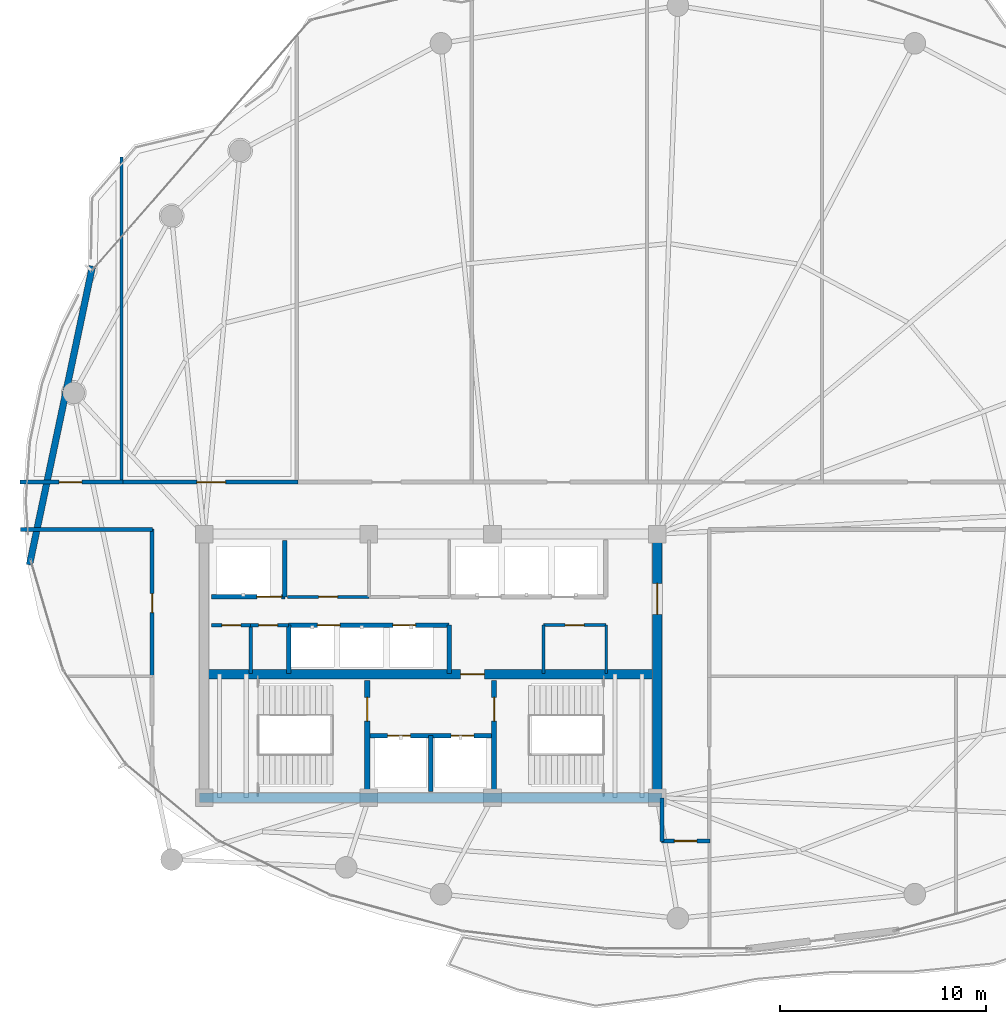
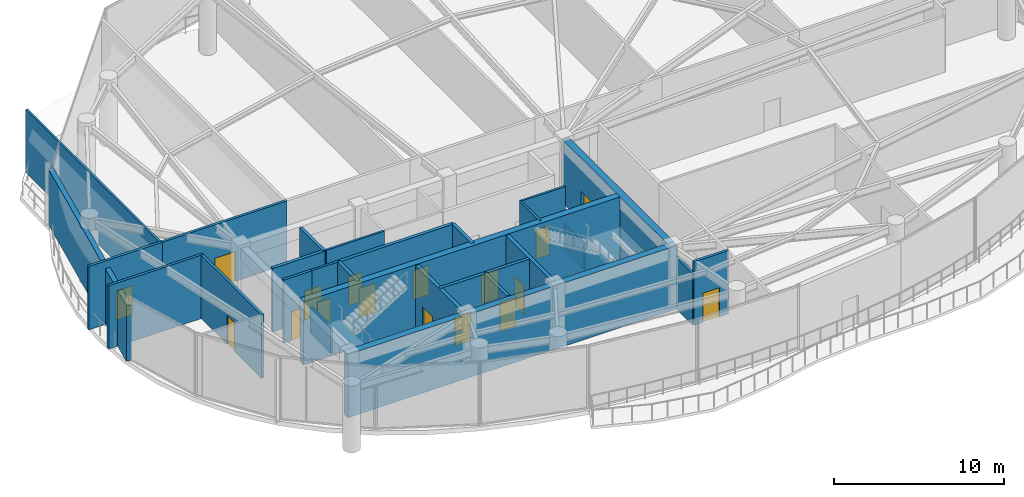
# One storey, part 23 of 28: 27 walls, 17 doors, 17 openings.
"""IFC4 building model written with IfcOpenShell, lengths in metres."""

import ifcopenshell
import ifcopenshell.guid

model = None  # the IFC model being written
_history = None  # IfcOwnerHistory: only IFC2X3 demands one
_inside = {}  # id of a spatial element -> (the spatial element, [elements in it])
_under = {}  # id of a project, library or spatial element -> (it, [spatial elements below it])
_declared = {}  # id of a project -> (the project, [libraries it declares])
_typed = {}  # id of a type object -> (the type object, [elements of that type])
_made_of = {}  # id of a material, layer set ... -> (it, [elements and type objects made of it])


def new_model(schema):
    """Start an empty IFC model of exactly this schema.

    Asked for "IFC4X3", IfcOpenShell would pick the latest addendum, in which some entities
    have other attributes; the version numbers below select the first issue.
    IFC2X3 requires an IfcOwnerHistory on every rooted entity: one is made here for all.
    """
    global model, _history
    if schema == "IFC4X3":
        model = ifcopenshell.file(schema_version=(4, 3, 0, 0))
    else:
        model = ifcopenshell.file(schema=schema)
    _inside.clear()
    _under.clear()
    _declared.clear()
    _typed.clear()
    _made_of.clear()
    _history = None
    if model.schema == "IFC2X3":
        org = make("IfcOrganization", Name="unknown")
        user = make(
            "IfcPersonAndOrganization",
            ThePerson=make("IfcPerson", FamilyName="unknown"),
            TheOrganization=org,
        )
        app = make(
            "IfcApplication",
            ApplicationDeveloper=org,
            Version="unknown",
            ApplicationFullName="unknown",
            ApplicationIdentifier="unknown",
        )
        _history = make(
            "IfcOwnerHistory",
            OwningUser=user,
            OwningApplication=app,
            ChangeAction="ADDED",
            CreationDate=0,
        )
    return model


def make(cls, **values):
    """One entity of the class cls with the attributes given. An attribute that is None is left unset."""
    return model.create_entity(
        cls, **{name: value for name, value in values.items() if value is not None}
    )


def rooted(cls, **values):
    """An entity with a GlobalId (a new one), such as an element, a storey or a relation."""
    return make(cls, GlobalId=ifcopenshell.guid.new(), OwnerHistory=_history, **values)


def si_unit(unit_type, name, prefix=None):
    """IfcSIUnit, for example si_unit("LENGTHUNIT", "METRE", prefix="MILLI")."""
    return make("IfcSIUnit", UnitType=unit_type, Prefix=prefix, Name=name)


def assignment(units):
    """IfcUnitAssignment: the units of a project."""
    return None if units is None else make("IfcUnitAssignment", Units=units)


def point(xyz):
    """IfcCartesianPoint."""
    return None if xyz is None else make("IfcCartesianPoint", Coordinates=xyz)


def direction(xyz):
    """IfcDirection."""
    return None if xyz is None else make("IfcDirection", DirectionRatios=xyz)


def frame(location, z_axis=None, x_axis=None):
    """IfcAxis2Placement3D, a coordinate frame: its origin and axes. An axis left out is left unset."""
    return make(
        "IfcAxis2Placement3D",
        Location=point(location),
        Axis=direction(z_axis),
        RefDirection=direction(x_axis),
    )


def frame_2d(location, x_axis=None):
    """IfcAxis2Placement2D, a coordinate frame in the plane: its origin and x axis."""
    return make(
        "IfcAxis2Placement2D", Location=point(location), RefDirection=direction(x_axis)
    )


def origin():
    """The frame at (0, 0, 0) with its axes left unset."""
    return frame((0.0, 0.0, 0.0))


def place(relative_to, where):
    """IfcLocalPlacement: puts the frame where relative to a parent placement (None: the world)."""
    return make(
        "IfcLocalPlacement", PlacementRelTo=relative_to, RelativePlacement=where
    )


def context(
    kind, dimensions, precision=None, world=None, true_north=None, identifier=None
):
    """IfcGeometricRepresentationContext, for example the 3D "Model" context."""
    return make(
        "IfcGeometricRepresentationContext",
        ContextIdentifier=identifier,
        ContextType=kind,
        CoordinateSpaceDimension=dimensions,
        Precision=precision,
        WorldCoordinateSystem=world,
        TrueNorth=true_north,
    )


def subcontext(parent, identifier, kind, view, scale=None):
    """IfcGeometricRepresentationSubContext, for example "Body" below "Model"."""
    return make(
        "IfcGeometricRepresentationSubContext",
        ContextIdentifier=identifier,
        ContextType=kind,
        ParentContext=parent,
        TargetScale=scale,
        TargetView=view,
    )


def project(units=None, contexts=None):
    """IfcProject with its units and contexts."""
    return rooted(
        "IfcProject",
        Name="project",
        RepresentationContexts=contexts,
        UnitsInContext=assignment(units),
    )


def spatial(cls, under=None, at=None, **own):
    """A site, building, storey or space (cls), placed at a placement, below another one or the project."""
    s = rooted(cls, ObjectPlacement=at, **own)
    if under is not None:
        _under.setdefault(under.id(), (under, []))[1].append(s)
    return s


def profile(cls, at=None, kind="AREA", **sizes):
    """A parametric profile (cls). Its sizes go by their IFC names, for example OverallWidth=200.0."""
    return make(cls, ProfileType=kind, Position=at, **sizes)


def rectangle(**sizes):
    """IfcRectangleProfileDef."""
    return profile("IfcRectangleProfileDef", **sizes)


def extrude(swept, where, along, depth):
    """IfcExtrudedAreaSolid: the profile swept, set in the frame where, extruded along a direction by depth."""
    return make(
        "IfcExtrudedAreaSolid",
        SweptArea=swept,
        Position=where,
        ExtrudedDirection=direction(along),
        Depth=depth,
    )


def shape(context_of_items, identifier, shape_type, items):
    """IfcShapeRepresentation: the items that make up one representation, for example the "Body"."""
    return make(
        "IfcShapeRepresentation",
        ContextOfItems=context_of_items,
        RepresentationIdentifier=identifier,
        RepresentationType=shape_type,
        Items=items,
    )


def material(Name=None, Category=None):
    """IfcMaterial."""
    return make("IfcMaterial", Name=Name, Category=Category)


def layer(
    of_material, thickness, ventilated=None, Name=None, Category=None, Priority=None
):
    """IfcMaterialLayer: one layer of a wall or slab, of a material (None: an air gap)."""
    return make(
        "IfcMaterialLayer",
        Material=of_material,
        LayerThickness=thickness,
        IsVentilated=ventilated,
        Name=Name,
        Category=Category,
        Priority=Priority,
    )


def layer_set(layers, Name=None):
    """IfcMaterialLayerSet."""
    return make("IfcMaterialLayerSet", MaterialLayers=layers, LayerSetName=Name)


def made_of(thing, what):
    """Note that an element or type object is made of a material, layer set ...; save() writes the relation."""
    if what is not None:
        _made_of.setdefault(what.id(), (what, []))[1].append(thing)
    return thing


def type_object(cls, material=None, **own):
    """A type object (cls), such as IfcWallType, which elements share."""
    return made_of(rooted(cls, **own), material)


def element(
    cls,
    number,
    at=None,
    inside=None,
    cuts=None,
    type_object=None,
    material=None,
    context=None,
    identifier="Body",
    shape_type=None,
    held_by="IfcProductDefinitionShape",
    body=None,
    shapes=None,
    **own,
):
    """One element of the class cls, such as IfcWall. Its Tag is "e" and its number.

    at: its placement. inside: the storey or other place that contains it. cuts: it is an
    opening in that element (IfcRelVoidsElement). A single representation is given by context,
    identifier, shape_type and body (its items); several are given by shapes. held_by: the class
    of the entity that holds the representations. save() writes the other relations.
    """
    e = rooted(cls, Tag="e%d" % number, ObjectPlacement=at, **own)
    if body is not None:
        shapes = [shape(context, identifier, shape_type, body)]
    if shapes is not None:
        e.Representation = make(held_by, Representations=shapes)
    if inside is not None:
        _inside.setdefault(inside.id(), (inside, []))[1].append(e)
    if cuts is not None:
        rooted(
            "IfcRelVoidsElement", RelatingBuildingElement=cuts, RelatedOpeningElement=e
        )
    if type_object is not None:
        _typed.setdefault(type_object.id(), (type_object, []))[1].append(e)
    return made_of(e, material)


def fill(opening, filler):
    """IfcRelFillsElement: the door or window that sits in an opening."""
    return rooted(
        "IfcRelFillsElement",
        RelatingOpeningElement=opening,
        RelatedBuildingElement=filler,
    )


def aggregate(whole, parts):
    """IfcRelAggregates: a whole, such as a stair, and the parts it consists of."""
    return rooted("IfcRelAggregates", RelatingObject=whole, RelatedObjects=parts)


def save(model, path):
    """Write the relations noted so far, then the file.

    IfcRelAggregates (storeys below a building ...), IfcRelContainedInSpatialStructure (elements
    in a storey), IfcRelDefinesByType, IfcRelAssociatesMaterial and IfcRelDeclares: one each for
    every whole, place, type object, material and project.
    """
    for whole, parts in _under.values():
        aggregate(whole, parts)
    for where, things in _inside.values():
        rooted(
            "IfcRelContainedInSpatialStructure",
            RelatedElements=things,
            RelatingStructure=where,
        )
    for kind, things in _typed.values():
        rooted("IfcRelDefinesByType", RelatedObjects=things, RelatingType=kind)
    for what, things in _made_of.values():
        rooted("IfcRelAssociatesMaterial", RelatedObjects=things, RelatingMaterial=what)
    for by, libraries in _declared.values():
        rooted("IfcRelDeclares", RelatingContext=by, RelatedDefinitions=libraries)
    model.write(path)


model = new_model("IFC4")

# Units and contexts
model_context = context("Model", 3, precision=1e-05, world=origin(), true_north=direction((0.0, 1.0)))
body_context = subcontext(model_context, "Body", "Model", "MODEL_VIEW")
ifc_project = project(units=[si_unit("LENGTHUNIT", "METRE"), si_unit("AREAUNIT", "SQUARE_METRE"), si_unit("VOLUMEUNIT", "CUBIC_METRE"), si_unit("PLANEANGLEUNIT", "RADIAN"), si_unit("MASSUNIT", "GRAM", prefix="KILO")], contexts=[model_context])

# Site, building, storey
site_placement = place(None, origin())
site = spatial("IfcSite", under=ifc_project, at=site_placement, CompositionType="ELEMENT")
building_placement = place(site_placement, origin())
building = spatial("IfcBuilding", under=site, at=building_placement, Name="Kazevale Care Tower and Concert Hall", CompositionType="ELEMENT")
storey_placement = place(building_placement, frame((0.0, 0.0, 190.800048828125)))
storey = spatial("IfcBuildingStorey", under=building, at=storey_placement, Name="L50", CompositionType="ELEMENT", Elevation=190.800048828125)

# Wall, opening, door
ifc_material_1 = material(Name="Acoustic Gypsum on Steel Stud", Category="steel")
ifc_layer_1 = layer(ifc_material_1, 0.139892578125)
ifc_layer_set_1 = layer_set([ifc_layer_1], Name="Acoustic Gypsum on Steel Stud")
wall_type_1 = type_object("IfcWallType", Name="Acoustic Care & Suite Partition 140", PredefinedType="PARTITIONING", material=ifc_layer_set_1)
wall_1_placement = place(storey_placement, frame((26.050048828125, 33.35009765625, 0.0), z_axis=(0.0, 0.0, 1.0), x_axis=(1.0, 0.0, 0.0)))
wall_1 = element("IfcWall", 1, at=wall_1_placement, inside=storey, type_object=wall_type_1, Name="wall:L50:c_rpl1_s", PredefinedType="PARTITIONING", context=body_context, shape_type="SweptSolid", body=[
    extrude(rectangle(XDim=3.949951171875, YDim=0.139892578125, at=frame_2d((1.97509765625, 0.0))), origin(), (0.0, 0.0, 1.0), 4.56005859375),
])
opening_1_placement = place(wall_1_placement, frame((1.514892578125, 0.0, 0.0)))
opening_1 = element("IfcOpeningElement", 2, at=opening_1_placement, cuts=wall_1, Name="Opening ID-900", PredefinedType="OPENING", context=body_context, shape_type="SweptSolid", body=[
    extrude(rectangle(XDim=0.919921875, YDim=2.10009765625, at=frame_2d((0.4599609375, 1.050048828125))), frame((0.0, 0.079833984375, 0.0), z_axis=(0.0, -1.0, 0.0), x_axis=(1.0, 0.0, 0.0)), (0.0, 0.0, 1.0), 0.159912109375),
])
ifc_material_2 = material(Name="Oak Timber Fire Leaf", Category="wood")
door_type_1 = type_object("IfcDoorType", Name="Bathroom & Service Door 920x2100", OperationType="NOTDEFINED", PredefinedType="DOOR", material=ifc_material_2)
door_1_placement = place(opening_1_placement, origin())
door_1 = element("IfcDoor", 3, at=door_1_placement, inside=storey, type_object=door_type_1, Name="door:L50:d_rpl1", OperationType="SINGLE_SWING_LEFT", OverallHeight=2.10009765625, OverallWidth=0.919921875, PredefinedType="DOOR", context=body_context, shape_type="SweptSolid", body=[
    extrude(rectangle(XDim=0.919921875, YDim=2.10009765625, at=frame_2d((0.4599609375, 1.050048828125))), frame((0.0, 0.02490234375, 0.0), z_axis=(0.0, -1.0, 0.0), x_axis=(1.0, 0.0, 0.0)), (0.0, 0.0, 1.0), 0.050048828125),
])
fill(opening_1, door_1)

# Walls
wall_2_placement = place(storey_placement, frame((38.47998046875, 29.6201171875, 0.0), z_axis=(0.0, 0.0, 1.0), x_axis=(0.0, 1.0, 0.0)))
element("IfcWall", 4, at=wall_2_placement, inside=storey, type_object=wall_type_1, Name="wall:L50:kb_ew", PredefinedType="PARTITIONING", context=body_context, shape_type="SweptSolid", body=[
    extrude(rectangle(XDim=2.35986328125, YDim=0.139892578125, at=frame_2d((1.179931640625, 0.0))), origin(), (0.0, 0.0, 1.0), 4.56005859375),
])
wall_3_placement = place(storey_placement, frame((41.52001953125, 29.6201171875, 0.0), z_axis=(0.0, 0.0, 1.0), x_axis=(0.0, 1.0, 0.0)))
element("IfcWall", 5, at=wall_3_placement, inside=storey, type_object=wall_type_1, Name="wall:L50:kb_ee", PredefinedType="PARTITIONING", context=body_context, shape_type="SweptSolid", body=[
    extrude(rectangle(XDim=2.35986328125, YDim=0.139892578125, at=frame_2d((1.179931640625, 0.0))), origin(), (0.0, 0.0, 1.0), 1.886962890625),
])

# Wall, opening, door
wall_4_placement = place(storey_placement, frame((38.47998046875, 31.97998046875, 0.0), z_axis=(0.0, 0.0, 1.0), x_axis=(1.0, 0.0, 0.0)))
wall_4 = element("IfcWall", 6, at=wall_4_placement, inside=storey, type_object=wall_type_1, Name="wall:L50:kb_en", PredefinedType="PARTITIONING", context=body_context, shape_type="SweptSolid", body=[
    extrude(rectangle(XDim=3.0400390625, YDim=0.139892578125, at=frame_2d((1.52001953125, 0.0))), origin(), (0.0, 0.0, 1.0), 4.56005859375),
])
opening_2_placement = place(wall_4_placement, frame((1.044921875, 0.0, 0.0)))
opening_2 = element("IfcOpeningElement", 7, at=opening_2_placement, cuts=wall_4, Name="Opening ID-900", PredefinedType="OPENING", context=body_context, shape_type="SweptSolid", body=[
    extrude(rectangle(XDim=0.919921875, YDim=2.10009765625, at=frame_2d((0.4599609375, 1.050048828125))), frame((0.0, 0.079833984375, 0.0), z_axis=(0.0, -1.0, 0.0), x_axis=(1.0, 0.0, 0.0)), (0.0, 0.0, 1.0), 0.159912109375),
])
door_2_placement = place(opening_2_placement, origin())
door_2 = element("IfcDoor", 8, at=door_2_placement, inside=storey, type_object=door_type_1, Name="door:L50:d_kbe", OperationType="SINGLE_SWING_LEFT", OverallHeight=2.10009765625, OverallWidth=0.919921875, PredefinedType="DOOR", context=body_context, shape_type="SweptSolid", body=[
    extrude(rectangle(XDim=0.919921875, YDim=2.10009765625, at=frame_2d((0.4599609375, 1.050048828125))), frame((0.0, 0.02490234375, 0.0), z_axis=(0.0, -1.0, 0.0), x_axis=(1.0, 0.0, 0.0)), (0.0, 0.0, 1.0), 0.050048828125),
])
fill(opening_2, door_2)

# Walls
wall_5_placement = place(storey_placement, frame((18.0, 54.696044921875, 0.0), z_axis=(0.0, 0.0, 1.0), x_axis=(0.0, -1.0, 0.0)))
element("IfcWall", 9, at=wall_5_placement, inside=storey, type_object=wall_type_1, Name="wall:L50:auto_017", PredefinedType="PARTITIONING", context=body_context, shape_type="SweptSolid", body=[
    extrude(rectangle(XDim=15.801025390625, YDim=0.139892578125, at=frame_2d((7.900390625, 0.0))), origin(), (0.0, 0.0, 1.0), 4.56005859375),
])
ifc_material_3 = material(Name="Concrete C50", Category="concrete")
ifc_layer_2 = layer(ifc_material_3, 0.449951171875)
ifc_layer_set_2 = layer_set([ifc_layer_2], Name="Concrete C50")
wall_type_2 = type_object("IfcWallType", Name="Core Shear Wall 450 C50", PredefinedType="SHEAR", material=ifc_layer_set_2)
wall_6_placement = place(storey_placement, frame((21.77490234375, 23.60009765625, 0.0), z_axis=(0.0, 0.0, 1.0), x_axis=(1.0, 0.0, 0.0)))
element("IfcWall", 10, at=wall_6_placement, inside=storey, type_object=wall_type_2, Name="wall:L50:core:S", PredefinedType="SHEAR", context=body_context, shape_type="SweptSolid", body=[
    extrude(rectangle(XDim=22.4501953125, YDim=0.449951171875, at=frame_2d((11.22509765625, 0.0))), origin(), (0.0, 0.0, 1.0), 4.56005859375),
])

# Wall, opening, door
wall_7_placement = place(storey_placement, frame((44.0, 23.824951171875, 0.0), z_axis=(0.0, 0.0, 1.0), x_axis=(0.0, 1.0, 0.0)))
wall_7 = element("IfcWall", 11, at=wall_7_placement, inside=storey, type_object=wall_type_2, Name="wall:L50:core:E", PredefinedType="SHEAR", context=body_context, shape_type="SweptSolid", body=[
    extrude(rectangle(XDim=12.35009765625, YDim=0.449951171875, at=frame_2d((6.175048828125, 0.0))), origin(), (0.0, 0.0, 1.0), 4.56005859375),
])
opening_3_placement = place(wall_7_placement, frame((8.675048828125, 0.0, 0.0)))
opening_3 = element("IfcOpeningElement", 12, at=opening_3_placement, cuts=wall_7, Name="Opening FD-60D", PredefinedType="OPENING", context=body_context, shape_type="SweptSolid", body=[
    extrude(rectangle(XDim=1.5, YDim=2.14990234375, at=frame_2d((0.75, 1.074951171875))), frame((0.0, 0.23486328125, 0.0), z_axis=(0.0, -1.0, 0.0), x_axis=(1.0, 0.0, 0.0)), (0.0, 0.0, 1.0), 0.469970703125),
])
door_type_2 = type_object("IfcDoorType", Name="Double Lobby & Auditorium Fire Door 1500x2150", OperationType="NOTDEFINED", PredefinedType="DOOR", material=ifc_material_2)
door_3_placement = place(opening_3_placement, origin())
door_3 = element("IfcDoor", 13, at=door_3_placement, inside=storey, type_object=door_type_2, Name="door:L50:core_east_out", OperationType="DOUBLE_DOOR_SINGLE_SWING", OverallHeight=2.14990234375, OverallWidth=1.5, PredefinedType="DOOR", context=body_context, shape_type="SweptSolid", body=[
    extrude(rectangle(XDim=1.5, YDim=2.14990234375, at=frame_2d((0.75, 1.074951171875))), frame((0.0, 0.02490234375, 0.0), z_axis=(0.0, -1.0, 0.0), x_axis=(1.0, 0.0, 0.0)), (0.0, 0.0, 1.0), 0.050048828125),
])
fill(opening_3, door_3)

wall_8_placement = place(storey_placement, frame((22.22509765625, 29.60009765625, 0.0), z_axis=(0.0, 0.0, 1.0), x_axis=(1.0, 0.0, 0.0)))
wall_8 = element("IfcWall", 14, at=wall_8_placement, inside=storey, type_object=wall_type_2, Name="wall:L50:core:M", PredefinedType="SHEAR", context=body_context, shape_type="SweptSolid", body=[
    extrude(rectangle(XDim=21.5498046875, YDim=0.449951171875, at=frame_2d((10.77490234375, 0.0))), origin(), (0.0, 0.0, 1.0), 4.56005859375),
])
opening_4_placement = place(wall_8_placement, frame((12.22509765625, 0.0, 0.0)))
opening_4 = element("IfcOpeningElement", 15, at=opening_4_placement, cuts=wall_8, Name="Opening FD-90", PredefinedType="OPENING", context=body_context, shape_type="SweptSolid", body=[
    extrude(rectangle(XDim=1.14990234375, YDim=2.10009765625, at=frame_2d((0.574951171875, 1.050048828125))), frame((0.0, 0.23486328125, 0.0), z_axis=(0.0, -1.0, 0.0), x_axis=(1.0, 0.0, 0.0)), (0.0, 0.0, 1.0), 0.469970703125),
])
ifc_material_4 = material(Name="Steel ASTM A572 Gr 50", Category="steel")
door_type_3 = type_object("IfcDoorType", Name="Pressurized Stair & Lobby Fire Door 1150x2100", OperationType="NOTDEFINED", PredefinedType="DOOR", material=ifc_material_4)
door_4_placement = place(opening_4_placement, origin())
door_4 = element("IfcDoor", 16, at=door_4_placement, inside=storey, type_object=door_type_3, Name="door:L50:ff_to_pax", OperationType="SINGLE_SWING_LEFT", OverallHeight=2.10009765625, OverallWidth=1.14990234375, PredefinedType="DOOR", context=body_context, shape_type="SweptSolid", body=[
    extrude(rectangle(XDim=1.14990234375, YDim=2.10009765625, at=frame_2d((0.574951171875, 1.050048828125))), frame((0.0, 0.02490234375, 0.0), z_axis=(0.0, -1.0, 0.0), x_axis=(1.0, 0.0, 0.0)), (0.0, 0.0, 1.0), 0.050048828125),
])
fill(opening_4, door_4)

# Wall, openings, doors
ifc_material_5 = material(Name="Concrete C40", Category="concrete")
ifc_layer_3 = layer(ifc_material_5, 0.219970703125)
ifc_layer_set_3 = layer_set([ifc_layer_3], Name="Concrete C40")
wall_type_3 = type_object("IfcWallType", Name="Elevator Hoistway Shaft Wall 220", PredefinedType="SOLIDWALL", material=ifc_layer_set_3)
wall_9_placement = place(storey_placement, frame((29.919921875, 26.6201171875, 0.0), z_axis=(0.0, 0.0, 1.0), x_axis=(1.0, 0.0, 0.0)))
wall_9 = element("IfcWall", 17, at=wall_9_placement, inside=storey, type_object=wall_type_3, Name="wall:L50:c_ffl_n", PredefinedType="SOLIDWALL", context=body_context, shape_type="SweptSolid", body=[
    extrude(rectangle(XDim=6.16015625, YDim=0.219970703125, at=frame_2d((3.080078125, 0.0))), origin(), (0.0, 0.0, 1.0), 4.56005859375),
])
opening_5_placement = place(wall_9_placement, frame((0.989990234375, 0.0, 0.0)))
opening_5 = element("IfcOpeningElement", 18, at=opening_5_placement, cuts=wall_9, Name="Opening LD-FF", PredefinedType="OPENING", context=body_context, shape_type="SweptSolid", body=[
    extrude(rectangle(XDim=1.10009765625, YDim=2.10009765625, at=frame_2d((0.550048828125, 1.050048828125))), frame((0.0, 0.119873046875, 0.0), z_axis=(0.0, -1.0, 0.0), x_axis=(1.0, 0.0, 0.0)), (0.0, 0.0, 1.0), 0.239990234375),
])
opening_6_placement = place(wall_9_placement, frame((4.070068359375, 0.0, 0.0)))
opening_6 = element("IfcOpeningElement", 19, at=opening_6_placement, cuts=wall_9, Name="Opening LD-FF", PredefinedType="OPENING", context=body_context, shape_type="SweptSolid", body=[
    extrude(rectangle(XDim=1.10009765625, YDim=2.10009765625, at=frame_2d((0.550048828125, 1.050048828125))), frame((0.0, 0.119873046875, 0.0), z_axis=(0.0, -1.0, 0.0), x_axis=(1.0, 0.0, 0.0)), (0.0, 0.0, 1.0), 0.239990234375),
])
ifc_material_6 = material(Name="Stainless Steel 316", Category="steel")
door_type_4 = type_object("IfcDoorType", Name="Emergency Lift Sliding Landing Door 1100x2100", OperationType="NOTDEFINED", PredefinedType="DOOR", material=ifc_material_6)
door_5_placement = place(opening_5_placement, origin())
door_5 = element("IfcDoor", 20, at=door_5_placement, inside=storey, type_object=door_type_4, Name="door:L50:ld_ffl1", OperationType="SLIDING_TO_LEFT", OverallHeight=2.10009765625, OverallWidth=1.10009765625, PredefinedType="DOOR", context=body_context, shape_type="SweptSolid", body=[
    extrude(rectangle(XDim=1.10009765625, YDim=2.10009765625, at=frame_2d((0.550048828125, 1.050048828125))), frame((0.0, 0.02490234375, 0.0), z_axis=(0.0, -1.0, 0.0), x_axis=(1.0, 0.0, 0.0)), (0.0, 0.0, 1.0), 0.050048828125),
])
fill(opening_5, door_5)
door_6_placement = place(opening_6_placement, origin())
door_6 = element("IfcDoor", 21, at=door_6_placement, inside=storey, type_object=door_type_4, Name="door:L50:ld_ffl2", OperationType="SLIDING_TO_RIGHT", OverallHeight=2.10009765625, OverallWidth=1.10009765625, PredefinedType="DOOR", context=body_context, shape_type="SweptSolid", body=[
    extrude(rectangle(XDim=1.10009765625, YDim=2.10009765625, at=frame_2d((0.550048828125, 1.050048828125))), frame((0.0, 0.02490234375, 0.0), z_axis=(0.0, -1.0, 0.0), x_axis=(1.0, 0.0, 0.0)), (0.0, 0.0, 1.0), 0.050048828125),
])
fill(opening_6, door_6)

# Walls
wall_10_placement = place(storey_placement, frame((33.0, 23.89990234375, 0.0), z_axis=(0.0, 0.0, 1.0), x_axis=(0.0, 1.0, 0.0)))
element("IfcWall", 22, at=wall_10_placement, inside=storey, type_object=wall_type_3, Name="wall:L50:c_ffl_m", PredefinedType="SOLIDWALL", context=body_context, shape_type="SweptSolid", body=[
    extrude(rectangle(XDim=2.72021484375, YDim=0.219970703125, at=frame_2d((1.360107421875, 0.0))), origin(), (0.0, 0.0, 1.0), 4.56005859375),
])
wall_11_placement = place(storey_placement, frame((25.919921875, 33.35009765625, 0.0), z_axis=(0.0, 0.0, 1.0), x_axis=(0.0, 1.0, 0.0)))
element("IfcWall", 23, at=wall_11_placement, inside=storey, type_object=wall_type_3, Name="wall:L50:c_svl_e", PredefinedType="SOLIDWALL", context=body_context, shape_type="SweptSolid", body=[
    extrude(rectangle(XDim=2.72998046875, YDim=0.219970703125, at=frame_2d((1.364990234375, 0.0))), origin(), (0.0, 0.0, 1.0), 4.56005859375),
])

# Wall, opening, door
wall_12_placement = place(storey_placement, frame((22.35009765625, 33.35009765625, 0.0), z_axis=(0.0, 0.0, 1.0), x_axis=(1.0, 0.0, 0.0)))
wall_12 = element("IfcWall", 24, at=wall_12_placement, inside=storey, type_object=wall_type_3, Name="wall:L50:c_svl_s", PredefinedType="SOLIDWALL", context=body_context, shape_type="SweptSolid", body=[
    extrude(rectangle(XDim=3.56982421875, YDim=0.219970703125, at=frame_2d((1.784912109375, 0.0))), origin(), (0.0, 0.0, 1.0), 4.56005859375),
])
opening_7_placement = place(wall_12_placement, frame((2.212890625, 0.0, 0.0)))
opening_7 = element("IfcOpeningElement", 25, at=opening_7_placement, cuts=wall_12, Name="Opening LD-SV", PredefinedType="OPENING", context=body_context, shape_type="SweptSolid", body=[
    extrude(rectangle(XDim=1.199951171875, YDim=2.10009765625, at=frame_2d((0.60009765625, 1.050048828125))), frame((0.0, 0.119873046875, 0.0), z_axis=(0.0, -1.0, 0.0), x_axis=(1.0, 0.0, 0.0)), (0.0, 0.0, 1.0), 0.239990234375),
])
door_type_5 = type_object("IfcDoorType", Name="Service Lift Sliding Landing Door 1200x2100", OperationType="NOTDEFINED", PredefinedType="DOOR", material=ifc_material_6)
door_7_placement = place(opening_7_placement, origin())
door_7 = element("IfcDoor", 26, at=door_7_placement, inside=storey, type_object=door_type_5, Name="door:L50:ld_svl1", OperationType="SLIDING_TO_LEFT", OverallHeight=2.10009765625, OverallWidth=1.199951171875, PredefinedType="DOOR", context=body_context, shape_type="SweptSolid", body=[
    extrude(rectangle(XDim=1.199951171875, YDim=2.10009765625, at=frame_2d((0.60009765625, 1.050048828125))), frame((0.0, 0.02490234375, 0.0), z_axis=(0.0, -1.0, 0.0), x_axis=(1.0, 0.0, 0.0)), (0.0, 0.0, 1.0), 0.050048828125),
])
fill(opening_7, door_7)

# Wall
wall_13_placement = place(storey_placement, frame((26.10009765625, 29.6201171875, 0.0), z_axis=(0.0, 0.0, 1.0), x_axis=(0.0, 1.0, 0.0)))
element("IfcWall", 27, at=wall_13_placement, inside=storey, type_object=wall_type_3, Name="wall:L50:c_ph_w", PredefinedType="SOLIDWALL", context=body_context, shape_type="SweptSolid", body=[
    extrude(rectangle(XDim=2.35986328125, YDim=0.219970703125, at=frame_2d((1.179931640625, 0.0))), origin(), (0.0, 0.0, 1.0), 4.56005859375),
])

# Wall, openings, doors
wall_14_placement = place(storey_placement, frame((26.10009765625, 31.97998046875, 0.0), z_axis=(0.0, 0.0, 1.0), x_axis=(1.0, 0.0, 0.0)))
wall_14 = element("IfcWall", 28, at=wall_14_placement, inside=storey, type_object=wall_type_3, Name="wall:L50:c_ph_n", PredefinedType="SOLIDWALL", context=body_context, shape_type="SweptSolid", body=[
    extrude(rectangle(XDim=7.7998046875, YDim=0.219970703125, at=frame_2d((3.89990234375, 0.0))), origin(), (0.0, 0.0, 1.0), 4.56005859375),
])
opening_8_placement = place(wall_14_placement, frame((1.39990234375, 0.0, 0.0)))
opening_8 = element("IfcOpeningElement", 29, at=opening_8_placement, cuts=wall_14, Name="Opening LD-PAX", PredefinedType="OPENING", context=body_context, shape_type="SweptSolid", body=[
    extrude(rectangle(XDim=1.10009765625, YDim=2.10009765625, at=frame_2d((0.550048828125, 1.050048828125))), frame((0.0, 0.119873046875, 0.0), z_axis=(0.0, -1.0, 0.0), x_axis=(1.0, 0.0, 0.0)), (0.0, 0.0, 1.0), 0.239990234375),
])
opening_9_placement = place(wall_14_placement, frame((5.06591796875, 0.0, 0.0)))
opening_9 = element("IfcOpeningElement", 30, at=opening_9_placement, cuts=wall_14, Name="Opening LD-PAX", PredefinedType="OPENING", context=body_context, shape_type="SweptSolid", body=[
    extrude(rectangle(XDim=1.10009765625, YDim=2.10009765625, at=frame_2d((0.550048828125, 1.050048828125))), frame((0.0, 0.119873046875, 0.0), z_axis=(0.0, -1.0, 0.0), x_axis=(1.0, 0.0, 0.0)), (0.0, 0.0, 1.0), 0.239990234375),
])
door_type_6 = type_object("IfcDoorType", Name="Passenger Lift Sliding Landing Door 1100x2100", OperationType="NOTDEFINED", PredefinedType="DOOR", material=ifc_material_6)
door_8_placement = place(opening_8_placement, origin())
door_8 = element("IfcDoor", 31, at=door_8_placement, inside=storey, type_object=door_type_6, Name="door:L50:ld_ph1", OperationType="SLIDING_TO_LEFT", OverallHeight=2.10009765625, OverallWidth=1.10009765625, PredefinedType="DOOR", context=body_context, shape_type="SweptSolid", body=[
    extrude(rectangle(XDim=1.10009765625, YDim=2.10009765625, at=frame_2d((0.550048828125, 1.050048828125))), frame((0.0, 0.02490234375, 0.0), z_axis=(0.0, -1.0, 0.0), x_axis=(1.0, 0.0, 0.0)), (0.0, 0.0, 1.0), 0.050048828125),
])
fill(opening_8, door_8)
door_9_placement = place(opening_9_placement, origin())
door_9 = element("IfcDoor", 32, at=door_9_placement, inside=storey, type_object=door_type_6, Name="door:L50:ld_ph2", OperationType="SLIDING_TO_RIGHT", OverallHeight=2.10009765625, OverallWidth=1.10009765625, PredefinedType="DOOR", context=body_context, shape_type="SweptSolid", body=[
    extrude(rectangle(XDim=1.10009765625, YDim=2.10009765625, at=frame_2d((0.550048828125, 1.050048828125))), frame((0.0, 0.02490234375, 0.0), z_axis=(0.0, -1.0, 0.0), x_axis=(1.0, 0.0, 0.0)), (0.0, 0.0, 1.0), 0.050048828125),
])
fill(opening_9, door_9)

# Wall
wall_15_placement = place(storey_placement, frame((33.89990234375, 29.6201171875, 0.0), z_axis=(0.0, 0.0, 1.0), x_axis=(0.0, 1.0, 0.0)))
element("IfcWall", 33, at=wall_15_placement, inside=storey, type_object=wall_type_3, Name="wall:L50:c_ph_e", PredefinedType="SOLIDWALL", context=body_context, shape_type="SweptSolid", body=[
    extrude(rectangle(XDim=2.35986328125, YDim=0.219970703125, at=frame_2d((1.179931640625, 0.0))), origin(), (0.0, 0.0, 1.0), 4.56005859375),
])

# Wall, opening, door
ifc_material_7 = material(Name="Concrete C40 and Acoustic Gypsum", Category="concrete")
ifc_layer_4 = layer(ifc_material_7, 0.179931640625)
ifc_layer_set_4 = layer_set([ifc_layer_4], Name="Concrete C40 and Acoustic Gypsum")
wall_type_4 = type_object("IfcWallType", Name="Fire-Rated Corridor & Party Wall 180", PredefinedType="PARTITIONING", material=ifc_layer_set_4)
wall_16_placement = place(storey_placement, frame((22.35009765625, 31.97998046875, 0.0), z_axis=(0.0, 0.0, 1.0), x_axis=(1.0, 0.0, 0.0)))
wall_16 = element("IfcWall", 34, at=wall_16_placement, inside=storey, type_object=wall_type_4, Name="wall:L50:kb_wn0", PredefinedType="PARTITIONING", context=body_context, shape_type="SweptSolid", body=[
    extrude(rectangle(XDim=1.909912109375, YDim=0.179931640625, at=frame_2d((0.955078125, 0.0))), origin(), (0.0, 0.0, 1.0), 4.56005859375),
])
opening_10_placement = place(wall_16_placement, frame((0.514892578125, 0.0, 0.0)))
opening_10 = element("IfcOpeningElement", 35, at=opening_10_placement, cuts=wall_16, Name="Opening ID-900", PredefinedType="OPENING", context=body_context, shape_type="SweptSolid", body=[
    extrude(rectangle(XDim=0.919921875, YDim=2.10009765625, at=frame_2d((0.4599609375, 1.050048828125))), frame((0.0, 0.099853515625, 0.0), z_axis=(0.0, -1.0, 0.0), x_axis=(1.0, 0.0, 0.0)), (0.0, 0.0, 1.0), 0.199951171875),
])
door_10_placement = place(opening_10_placement, origin())
door_10 = element("IfcDoor", 36, at=door_10_placement, inside=storey, type_object=door_type_1, Name="door:L50:d_kbw1", OperationType="SINGLE_SWING_LEFT", OverallHeight=2.10009765625, OverallWidth=0.919921875, PredefinedType="DOOR", context=body_context, shape_type="SweptSolid", body=[
    extrude(rectangle(XDim=0.919921875, YDim=2.10009765625, at=frame_2d((0.4599609375, 1.050048828125))), frame((0.0, 0.02490234375, 0.0), z_axis=(0.0, -1.0, 0.0), x_axis=(1.0, 0.0, 0.0)), (0.0, 0.0, 1.0), 0.050048828125),
])
fill(opening_10, door_10)

wall_17_placement = place(storey_placement, frame((13.06396484375, 38.925048828125, 0.0), z_axis=(0.0, 0.0, 1.0), x_axis=(1.0, 0.0, 0.0)))
wall_17 = element("IfcWall", 37, at=wall_17_placement, inside=storey, type_object=wall_type_4, Name="wall:L50:auto_001", PredefinedType="PARTITIONING", context=body_context, shape_type="SweptSolid", body=[
    extrude(rectangle(XDim=5.0009765625, YDim=0.179931640625, at=frame_2d((2.50048828125, 0.0))), origin(), (0.0, 0.0, 1.0), 4.56005859375),
])
opening_11_placement = place(wall_17_placement, frame((1.90087890625, 0.0, 0.0)))
opening_11 = element("IfcOpeningElement", 38, at=opening_11_placement, cuts=wall_17, Name="Opening ID-1100", PredefinedType="OPENING", context=body_context, shape_type="SweptSolid", body=[
    extrude(rectangle(XDim=1.10009765625, YDim=2.10009765625, at=frame_2d((0.550048828125, 1.050048828125))), frame((0.0, 0.099853515625, 0.0), z_axis=(0.0, -1.0, 0.0), x_axis=(1.0, 0.0, 0.0)), (0.0, 0.0, 1.0), 0.199951171875),
])
door_type_7 = type_object("IfcDoorType", Name="Care Bedroom Accessible Door 1100x2100", OperationType="NOTDEFINED", PredefinedType="DOOR", material=ifc_material_2)
door_11_placement = place(opening_11_placement, origin())
door_11 = element("IfcDoor", 39, at=door_11_placement, inside=storey, type_object=door_type_7, Name="door:L50:ad_001", OperationType="SINGLE_SWING_LEFT", OverallHeight=2.10009765625, OverallWidth=1.10009765625, PredefinedType="DOOR", context=body_context, shape_type="SweptSolid", body=[
    extrude(rectangle(XDim=1.10009765625, YDim=2.10009765625, at=frame_2d((0.550048828125, 1.050048828125))), frame((0.0, 0.02490234375, 0.0), z_axis=(0.0, -1.0, 0.0), x_axis=(1.0, 0.0, 0.0)), (0.0, 0.0, 1.0), 0.050048828125),
])
fill(opening_11, door_11)

wall_18_placement = place(storey_placement, frame((17.93505859375, 38.925048828125, 0.0), z_axis=(0.0, 0.0, 1.0), x_axis=(1.0, 0.0, 0.0)))
wall_18 = element("IfcWall", 40, at=wall_18_placement, inside=storey, type_object=wall_type_4, Name="wall:L50:auto_002", PredefinedType="PARTITIONING", context=body_context, shape_type="SweptSolid", body=[
    extrude(rectangle(XDim=8.6298828125, YDim=0.179931640625, at=frame_2d((4.31494140625, 0.0))), origin(), (0.0, 0.0, 1.0), 4.56005859375),
])
opening_12_placement = place(wall_18_placement, frame((3.715087890625, 0.0, 0.0)))
opening_12 = element("IfcOpeningElement", 41, at=opening_12_placement, cuts=wall_18, Name="Opening ID-1400D", PredefinedType="OPENING", context=body_context, shape_type="SweptSolid", body=[
    extrude(rectangle(XDim=1.39990234375, YDim=2.14990234375, at=frame_2d((0.699951171875, 1.074951171875))), frame((0.0, 0.099853515625, 0.0), z_axis=(0.0, -1.0, 0.0), x_axis=(1.0, 0.0, 0.0)), (0.0, 0.0, 1.0), 0.199951171875),
])
door_type_8 = type_object("IfcDoorType", Name="Double Lounge & Clinic Door 1400x2150", OperationType="NOTDEFINED", PredefinedType="DOOR", material=ifc_material_2)
door_12_placement = place(opening_12_placement, origin())
door_12 = element("IfcDoor", 42, at=door_12_placement, inside=storey, type_object=door_type_8, Name="door:L50:ad_002", OperationType="SINGLE_SWING_LEFT", OverallHeight=2.14990234375, OverallWidth=1.39990234375, PredefinedType="DOOR", context=body_context, shape_type="SweptSolid", body=[
    extrude(rectangle(XDim=1.39990234375, YDim=2.14990234375, at=frame_2d((0.699951171875, 1.074951171875))), frame((0.0, 0.02490234375, 0.0), z_axis=(0.0, -1.0, 0.0), x_axis=(1.0, 0.0, 0.0)), (0.0, 0.0, 1.0), 0.050048828125),
])
fill(opening_12, door_12)

wall_19_placement = place(storey_placement, frame((46.554931640625, 21.5, 0.0), z_axis=(0.0, 0.0, 1.0), x_axis=(-1.0, 0.0, 0.0)))
wall_19 = element("IfcWall", 43, at=wall_19_placement, inside=storey, type_object=wall_type_4, Name="wall:L50:auto_012", PredefinedType="PARTITIONING", context=body_context, shape_type="SweptSolid", body=[
    extrude(rectangle(XDim=2.35986328125, YDim=0.179931640625, at=frame_2d((1.179931640625, 0.0))), origin(), (0.0, 0.0, 1.0), 4.56005859375),
])
opening_13_placement = place(wall_19_placement, frame((0.6298828125, 0.0, 0.0)))
opening_13 = element("IfcOpeningElement", 44, at=opening_13_placement, cuts=wall_19, Name="Opening ID-1100", PredefinedType="OPENING", context=body_context, shape_type="SweptSolid", body=[
    extrude(rectangle(XDim=1.10009765625, YDim=2.10009765625, at=frame_2d((0.550048828125, 1.050048828125))), frame((0.0, 0.099853515625, 0.0), z_axis=(0.0, -1.0, 0.0), x_axis=(1.0, 0.0, 0.0)), (0.0, 0.0, 1.0), 0.199951171875),
])
door_13_placement = place(opening_13_placement, origin())
door_13 = element("IfcDoor", 45, at=door_13_placement, inside=storey, type_object=door_type_7, Name="door:L50:ad_012", OperationType="SINGLE_SWING_LEFT", OverallHeight=2.10009765625, OverallWidth=1.10009765625, PredefinedType="DOOR", context=body_context, shape_type="SweptSolid", body=[
    extrude(rectangle(XDim=1.10009765625, YDim=2.10009765625, at=frame_2d((0.550048828125, 1.050048828125))), frame((0.0, 0.02490234375, 0.0), z_axis=(0.0, -1.0, 0.0), x_axis=(1.0, 0.0, 0.0)), (0.0, 0.0, 1.0), 0.050048828125),
])
fill(opening_13, door_13)

# Wall
wall_20_placement = place(storey_placement, frame((44.22509765625, 21.469970703125, 0.0), z_axis=(0.0, 0.0, 1.0), x_axis=(0.0, 1.0, 0.0)))
element("IfcWall", 46, at=wall_20_placement, inside=storey, type_object=wall_type_4, Name="wall:L50:auto_013", PredefinedType="PARTITIONING", context=body_context, shape_type="SweptSolid", body=[
    extrude(rectangle(XDim=2.1201171875, YDim=0.179931640625, at=frame_2d((1.06005859375, 0.0))), origin(), (0.0, 0.0, 1.0), 3.699951171875),
])

# Wall, opening, door
wall_21_placement = place(storey_placement, frame((19.47509765625, 29.43505859375, 0.0), z_axis=(0.0, 0.0, 1.0), x_axis=(0.0, 1.0, 0.0)))
wall_21 = element("IfcWall", 47, at=wall_21_placement, inside=storey, type_object=wall_type_4, Name="wall:L50:auto_014", PredefinedType="PARTITIONING", context=body_context, shape_type="SweptSolid", body=[
    extrude(rectangle(XDim=7.219970703125, YDim=0.179931640625, at=frame_2d((3.60986328125, 0.0))), origin(), (0.0, 0.0, 1.0), 4.56005859375),
])
opening_14_placement = place(wall_21_placement, frame((3.14990234375, 0.0, 0.0)))
opening_14 = element("IfcOpeningElement", 48, at=opening_14_placement, cuts=wall_21, Name="Opening ID-900", PredefinedType="OPENING", context=body_context, shape_type="SweptSolid", body=[
    extrude(rectangle(XDim=0.919921875, YDim=2.10009765625, at=frame_2d((0.4599609375, 1.050048828125))), frame((0.0, 0.099853515625, 0.0), z_axis=(0.0, -1.0, 0.0), x_axis=(1.0, 0.0, 0.0)), (0.0, 0.0, 1.0), 0.199951171875),
])
door_14_placement = place(opening_14_placement, origin())
door_14 = element("IfcDoor", 49, at=door_14_placement, inside=storey, type_object=door_type_1, Name="door:L50:ad_014", OperationType="SINGLE_SWING_LEFT", OverallHeight=2.10009765625, OverallWidth=0.919921875, PredefinedType="DOOR", context=body_context, shape_type="SweptSolid", body=[
    extrude(rectangle(XDim=0.919921875, YDim=2.10009765625, at=frame_2d((0.4599609375, 1.050048828125))), frame((0.0, 0.02490234375, 0.0), z_axis=(0.0, -1.0, 0.0), x_axis=(1.0, 0.0, 0.0)), (0.0, 0.0, 1.0), 0.050048828125),
])
fill(opening_14, door_14)

# Walls
wall_22_placement = place(storey_placement, frame((19.5048828125, 36.625, 0.0), z_axis=(0.0, 0.0, 1.0), x_axis=(-1.0, 0.0, 0.0)))
element("IfcWall", 50, at=wall_22_placement, inside=storey, type_object=wall_type_4, Name="wall:L50:auto_015", PredefinedType="PARTITIONING", context=body_context, shape_type="SweptSolid", body=[
    extrude(rectangle(XDim=6.408935546875, YDim=0.179931640625, at=frame_2d((3.20458984375, 0.0))), origin(), (0.0, 0.0, 1.0), 4.56005859375),
])
ifc_layer_5 = layer(ifc_material_1, 0.159912109375)
ifc_layer_set_5 = layer_set([ifc_layer_5], Name="Acoustic Gypsum on Steel Stud")
wall_type_5 = type_object("IfcWallType", Name="Moisture-Resistant Bathroom Plumbing Wall 160", PredefinedType="PLUMBINGWALL", material=ifc_layer_set_5)
wall_23_placement = place(storey_placement, frame((24.260009765625, 29.6201171875, 0.0), z_axis=(0.0, 0.0, 1.0), x_axis=(0.0, 1.0, 0.0)))
element("IfcWall", 51, at=wall_23_placement, inside=storey, type_object=wall_type_5, Name="wall:L50:kb_we1", PredefinedType="PLUMBINGWALL", context=body_context, shape_type="SweptSolid", body=[
    extrude(rectangle(XDim=2.35986328125, YDim=0.159912109375, at=frame_2d((1.179931640625, 0.0))), origin(), (0.0, 0.0, 1.0), 1.886962890625),
])

# Wall, opening, door
wall_24_placement = place(storey_placement, frame((24.260009765625, 31.97998046875, 0.0), z_axis=(0.0, 0.0, 1.0), x_axis=(1.0, 0.0, 0.0)))
wall_24 = element("IfcWall", 52, at=wall_24_placement, inside=storey, type_object=wall_type_5, Name="wall:L50:kb_wn1", PredefinedType="PLUMBINGWALL", context=body_context, shape_type="SweptSolid", body=[
    extrude(rectangle(XDim=1.840087890625, YDim=0.159912109375, at=frame_2d((0.919921875, 0.0))), origin(), (0.0, 0.0, 1.0), 4.56005859375),
])
opening_15_placement = place(wall_24_placement, frame((0.387939453125, 0.0, 0.0)))
opening_15 = element("IfcOpeningElement", 53, at=opening_15_placement, cuts=wall_24, Name="Opening ID-900", PredefinedType="OPENING", context=body_context, shape_type="SweptSolid", body=[
    extrude(rectangle(XDim=0.919921875, YDim=2.10009765625, at=frame_2d((0.4599609375, 1.050048828125))), frame((0.0, 0.08984375, 0.0), z_axis=(0.0, -1.0, 0.0), x_axis=(1.0, 0.0, 0.0)), (0.0, 0.0, 1.0), 0.179931640625),
])
door_15_placement = place(opening_15_placement, origin())
door_15 = element("IfcDoor", 54, at=door_15_placement, inside=storey, type_object=door_type_1, Name="door:L50:d_kbw2", OperationType="SINGLE_SWING_RIGHT", OverallHeight=2.10009765625, OverallWidth=0.919921875, PredefinedType="DOOR", context=body_context, shape_type="SweptSolid", body=[
    extrude(rectangle(XDim=0.919921875, YDim=2.10009765625, at=frame_2d((0.4599609375, 1.050048828125))), frame((0.0, 0.02490234375, 0.0), z_axis=(0.0, -1.0, 0.0), x_axis=(1.0, 0.0, 0.0)), (0.0, 0.0, 1.0), 0.050048828125),
])
fill(opening_15, door_15)

ifc_layer_6 = layer(ifc_material_5, 0.25)
ifc_layer_set_6 = layer_set([ifc_layer_6], Name="Concrete C40")
wall_type_6 = type_object("IfcWallType", Name="Pressurized Stair Shaft Wall 250", PredefinedType="SOLIDWALL", material=ifc_layer_set_6)
wall_25_placement = place(storey_placement, frame((29.919921875, 23.89990234375, 0.0), z_axis=(0.0, 0.0, 1.0), x_axis=(0.0, 1.0, 0.0)))
wall_25 = element("IfcWall", 55, at=wall_25_placement, inside=storey, type_object=wall_type_6, Name="wall:L50:c_st1_e", PredefinedType="SOLIDWALL", context=body_context, shape_type="SweptSolid", body=[
    extrude(rectangle(XDim=5.400146484375, YDim=0.25, at=frame_2d((2.7001953125, 0.0))), origin(), (0.0, 0.0, 1.0), 4.56005859375),
])
opening_16_placement = place(wall_25_placement, frame((3.4208984375, 0.0, 0.0)))
opening_16 = element("IfcOpeningElement", 56, at=opening_16_placement, cuts=wall_25, Name="Opening FD-90", PredefinedType="OPENING", context=body_context, shape_type="SweptSolid", body=[
    extrude(rectangle(XDim=1.14990234375, YDim=2.10009765625, at=frame_2d((0.574951171875, 1.050048828125))), frame((0.0, 0.135009765625, 0.0), z_axis=(0.0, -1.0, 0.0), x_axis=(1.0, 0.0, 0.0)), (0.0, 0.0, 1.0), 0.27001953125),
])
door_16_placement = place(opening_16_placement, origin())
door_16 = element("IfcDoor", 57, at=door_16_placement, inside=storey, type_object=door_type_3, Name="door:L50:st1", OperationType="SINGLE_SWING_RIGHT", OverallHeight=2.10009765625, OverallWidth=1.14990234375, PredefinedType="DOOR", context=body_context, shape_type="SweptSolid", body=[
    extrude(rectangle(XDim=1.14990234375, YDim=2.10009765625, at=frame_2d((0.574951171875, 1.050048828125))), frame((0.0, 0.02490234375, 0.0), z_axis=(0.0, -1.0, 0.0), x_axis=(1.0, 0.0, 0.0)), (0.0, 0.0, 1.0), 0.050048828125),
])
fill(opening_16, door_16)

wall_26_placement = place(storey_placement, frame((36.080078125, 23.89990234375, 0.0), z_axis=(0.0, 0.0, 1.0), x_axis=(0.0, 1.0, 0.0)))
wall_26 = element("IfcWall", 58, at=wall_26_placement, inside=storey, type_object=wall_type_6, Name="wall:L50:c_st2_w", PredefinedType="SOLIDWALL", context=body_context, shape_type="SweptSolid", body=[
    extrude(rectangle(XDim=5.400146484375, YDim=0.25, at=frame_2d((2.7001953125, 0.0))), origin(), (0.0, 0.0, 1.0), 4.56005859375),
])
opening_17_placement = place(wall_26_placement, frame((3.4208984375, 0.0, 0.0)))
opening_17 = element("IfcOpeningElement", 59, at=opening_17_placement, cuts=wall_26, Name="Opening FD-90", PredefinedType="OPENING", context=body_context, shape_type="SweptSolid", body=[
    extrude(rectangle(XDim=1.14990234375, YDim=2.10009765625, at=frame_2d((0.574951171875, 1.050048828125))), frame((0.0, 0.135009765625, 0.0), z_axis=(0.0, -1.0, 0.0), x_axis=(1.0, 0.0, 0.0)), (0.0, 0.0, 1.0), 0.27001953125),
])
door_17_placement = place(opening_17_placement, origin())
door_17 = element("IfcDoor", 60, at=door_17_placement, inside=storey, type_object=door_type_3, Name="door:L50:st2", OperationType="SINGLE_SWING_LEFT", OverallHeight=2.10009765625, OverallWidth=1.14990234375, PredefinedType="DOOR", context=body_context, shape_type="SweptSolid", body=[
    extrude(rectangle(XDim=1.14990234375, YDim=2.10009765625, at=frame_2d((0.574951171875, 1.050048828125))), frame((0.0, 0.02490234375, 0.0), z_axis=(0.0, -1.0, 0.0), x_axis=(1.0, 0.0, 0.0)), (0.0, 0.0, 1.0), 0.050048828125),
])
fill(opening_17, door_17)

# Wall
ifc_material_8 = material(Name="Concrete C40 with Honed Limestone Cladding", Category="masonry")
ifc_layer_7 = layer(ifc_material_8, 0.320068359375)
ifc_layer_set_7 = layer_set([ifc_layer_7], Name="Concrete C40 with Honed Limestone Cladding")
wall_type_7 = type_object("IfcWallType", Name="Tower Honed Limestone Spandrel Wall 320", PredefinedType="STANDARD", material=ifc_layer_set_7)
wall_27_placement = place(storey_placement, frame((13.52490234375, 34.903076171875, 0.0), z_axis=(0.0, 0.0, 1.0), x_axis=(0.206301080321, 0.978488561128, 0.0)))
element("IfcWall", 61, at=wall_27_placement, inside=storey, type_object=wall_type_7, Name="wall:cw:L50:f13", PredefinedType="STANDARD", context=body_context, shape_type="SweptSolid", body=[
    extrude(rectangle(XDim=14.81884765625, YDim=0.320068359375, at=frame_2d((7.409423828125, 0.0))), origin(), (0.0, 0.0, 1.0), 4.005859375),
])

save(model, "model.ifc")
